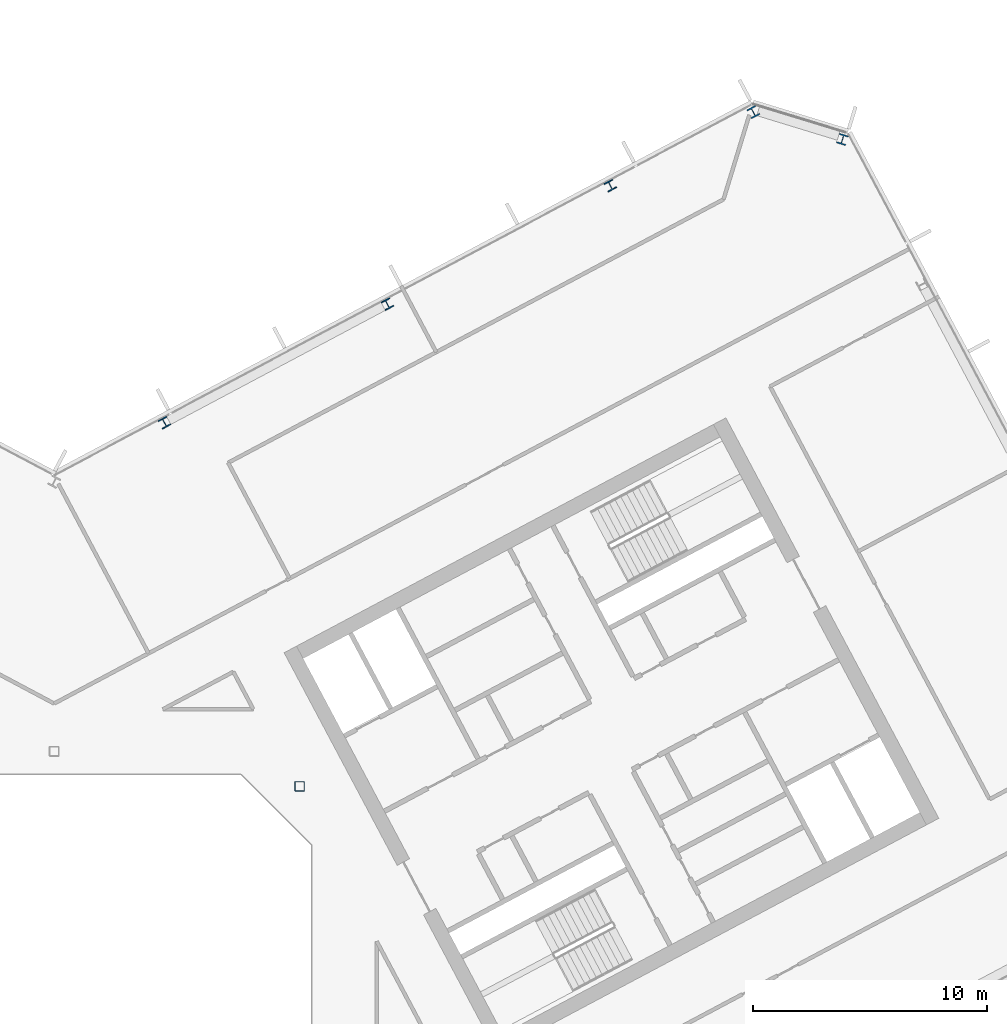
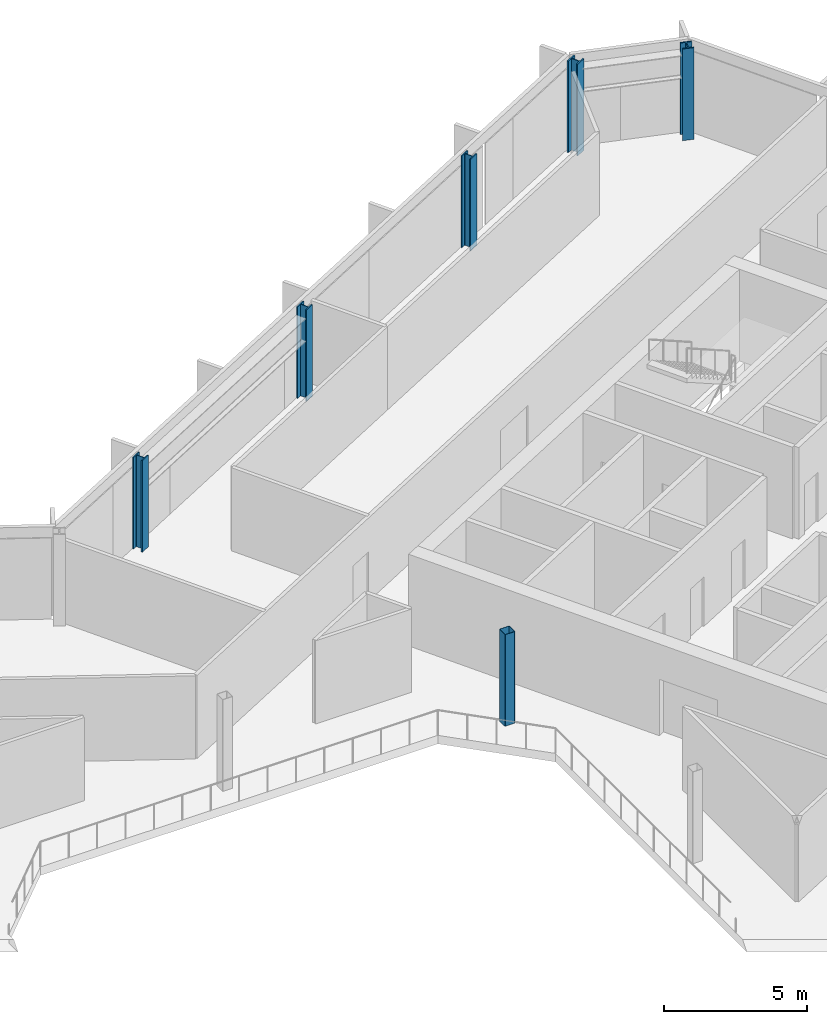
# One storey, part 6 of 26: 6 columns.
"""IFC4 building model written with IfcOpenShell, lengths in metres."""

from ifc_helpers import new_model, si_unit, direction, frame, origin, origin_2d, place, context, subcontext, project, spatial, hollow_rectangle, i_section, extrude, material, material_profile, profile_set, type_object, element, save


model = new_model("IFC4")

# Units and contexts
model_context = context("Model", 3, precision=1e-05, world=origin(), true_north=direction((0.0, 1.0)))
body_context = subcontext(model_context, "Body", "Model", "MODEL_VIEW")
ifc_project = project(units=[si_unit("LENGTHUNIT", "METRE"), si_unit("AREAUNIT", "SQUARE_METRE"), si_unit("VOLUMEUNIT", "CUBIC_METRE"), si_unit("PLANEANGLEUNIT", "RADIAN"), si_unit("MASSUNIT", "GRAM", prefix="KILO")], contexts=[model_context])

# Site, building, storey
site_placement = place(None, origin())
site = spatial("IfcSite", under=ifc_project, at=site_placement, CompositionType="ELEMENT")
building_placement = place(site_placement, origin())
building = spatial("IfcBuilding", under=site, at=building_placement, Name="Cormorant Relay Tower", CompositionType="ELEMENT")
storey_placement = place(building_placement, frame((0.0, 0.0, 197.39990234375)))
storey = spatial("IfcBuildingStorey", under=building, at=storey_placement, Name="L42", CompositionType="ELEMENT", Elevation=197.39990234375)

# Columns
ifc_material_1 = material(Name="Steel ASTM A500 Grade C (Fy 345 MPa)", Category="steel")
ifc_material_profile_1 = material_profile(ifc_material_1, hollow_rectangle(XDim=0.406494140625, YDim=0.406494140625, WallThickness=0.0146484375, InnerFilletRadius=0.00732421875, OuterFilletRadius=0.022216796875, at=origin_2d()), Name="HSS406x406x15")
ifc_profile_set_1 = profile_set([ifc_material_profile_1], Name="Steel ASTM A500 Grade C (Fy 345 MPa)")
column_type_1 = type_object("IfcColumnType", Name="Column HSS406x406x15", PredefinedType="COLUMN", material=ifc_profile_set_1)
column_placement = place(storey_placement, frame((10.5, 10.5, 0.0), z_axis=(0.0, 0.0, 1.0), x_axis=(1.0, 0.0, 0.0)))
element("IfcColumn", 1, at=column_placement, inside=storey, type_object=column_type_1, Name="Column L42-024", PredefinedType="COLUMN", context=body_context, shape_type="SweptSolid", body=[
    extrude(hollow_rectangle(XDim=0.406494140625, YDim=0.406494140625, WallThickness=0.0146484375, InnerFilletRadius=0.00732421875, OuterFilletRadius=0.022216796875, at=origin_2d()), origin(), (0.0, 0.0, 1.0), 3.900146484375),
])
ifc_material_2 = material(Name="Steel ASTM A992 (Fy 345 MPa)", Category="steel")
ifc_material_profile_2 = material_profile(ifc_material_2, i_section(OverallWidth=0.40380859375, OverallDepth=0.406494140625, WebThickness=0.027099609375, FlangeThickness=0.043701171875, FilletRadius=0.01513671875, at=origin_2d()), Name="W360x347")
ifc_profile_set_2 = profile_set([ifc_material_profile_2], Name="Steel ASTM A992 (Fy 345 MPa)")
column_type_2 = type_object("IfcColumnType", Name="Column W360x347", PredefinedType="COLUMN", material=ifc_profile_set_2)
for number, where, z_axis, x_axis, name in (
    (2, (4.719970703125, 26.055908203125, 0.0), (0.0, 0.0, 1.0), (-0.882947592859, -0.469471562786, 0.0), "Column L42-032"),
    (3, (14.256103515625, 31.1259765625, 0.0), (0.0, 0.0, 1.0), (-0.882947592859, -0.469471562786, 0.0), "Column L42-035"),
    (4, (23.7919921875, 36.196044921875, 0.0), (0.0, 0.0, 1.0), (-0.882947592859, -0.469471562786, 0.0), "Column L42-039"),
):
    element("IfcColumn", number, at=place(storey_placement, frame(where, z_axis=z_axis, x_axis=x_axis)), inside=storey, type_object=column_type_2, Name=name, PredefinedType="COLUMN", context=body_context, shape_type="SweptSolid", body=[
        extrude(i_section(OverallWidth=0.40380859375, OverallDepth=0.406494140625, WebThickness=0.027099609375, FlangeThickness=0.043701171875, FilletRadius=0.01513671875, at=origin_2d()), origin(), (0.0, 0.0, 1.0), 3.900146484375),
    ])
ifc_material_3 = material(Name="Steel ASTM A992 (Fy 345 MPa)", Category="steel")
ifc_material_profile_3 = material_profile(ifc_material_3, i_section(OverallWidth=0.41162109375, OverallDepth=0.434326171875, WebThickness=0.035888671875, FlangeThickness=0.057373046875, FilletRadius=0.01513671875, at=origin_2d()), Name="W360x463")
ifc_profile_set_3 = profile_set([ifc_material_profile_3], Name="Steel ASTM A992 (Fy 345 MPa)")
column_type_3 = type_object("IfcColumnType", Name="Column W360x463", PredefinedType="COLUMN", material=ifc_profile_set_3)
for number, where, z_axis, x_axis, name in (
    (5, (33.720947265625, 38.173095703125, 0.0), (0.0, 0.0, 1.0), (-0.956304755963, 0.292371704723, 0.0), "Column L42-041"),
    (6, (29.905029296875, 39.340087890625, 0.0), (0.0, 0.0, 1.0), (-0.882947592859, -0.469471562786, 0.0), "Column L42-043"),
):
    element("IfcColumn", number, at=place(storey_placement, frame(where, z_axis=z_axis, x_axis=x_axis)), inside=storey, type_object=column_type_3, Name=name, PredefinedType="COLUMN", context=body_context, shape_type="SweptSolid", body=[
        extrude(i_section(OverallWidth=0.41162109375, OverallDepth=0.434326171875, WebThickness=0.035888671875, FlangeThickness=0.057373046875, FilletRadius=0.01513671875, at=origin_2d()), origin(), (0.0, 0.0, 1.0), 3.900146484375),
    ])

save(model, "model.ifc")
